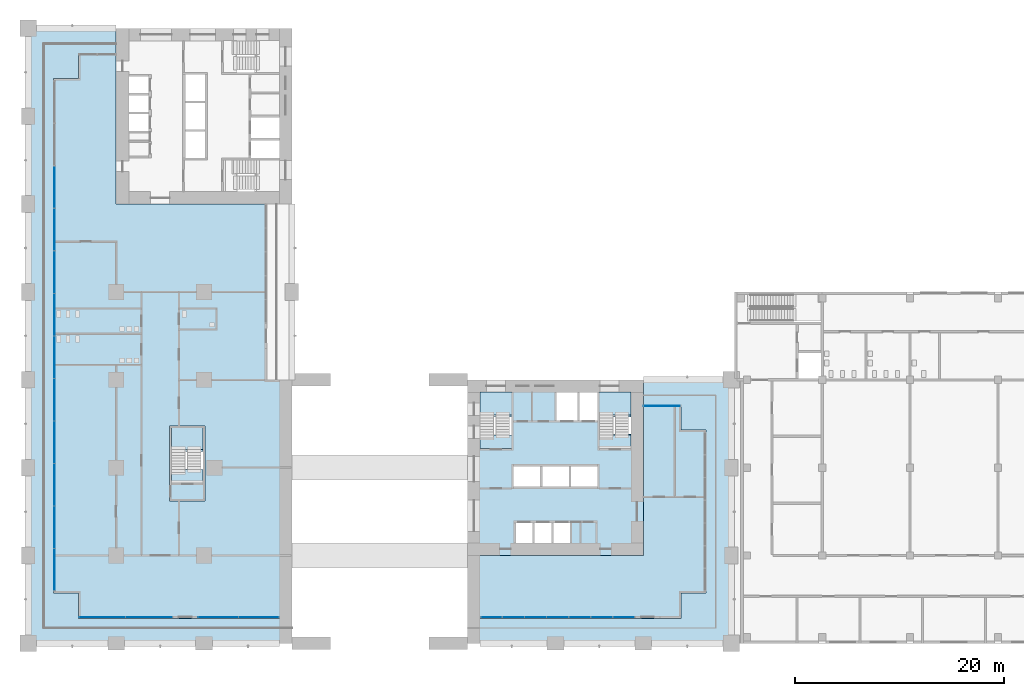
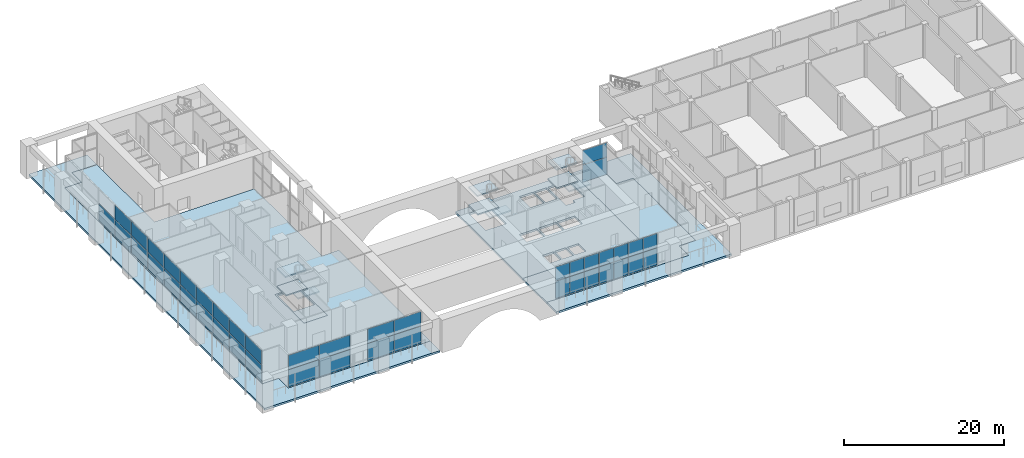
# One storey, part 8 of 26: 43 plates, 15 slabs, 8 elements without a shape of their own.
"""IFC4 building model written with IfcOpenShell, lengths in metres."""

from ifc_helpers import new_model, si_unit, direction, frame, origin, origin_2d, place, context, subcontext, project, spatial, polyline, rectangle, outline, extrude, material, layer, layer_set, type_object, element, aggregate, save


model = new_model("IFC4")

# Units and contexts
model_context = context("Model", 3, precision=1e-05, world=origin(), true_north=direction((0.0, 1.0)))
body_context = subcontext(model_context, "Body", "Model", "MODEL_VIEW")
ifc_project = project(units=[si_unit("LENGTHUNIT", "METRE"), si_unit("AREAUNIT", "SQUARE_METRE"), si_unit("VOLUMEUNIT", "CUBIC_METRE"), si_unit("PLANEANGLEUNIT", "RADIAN"), si_unit("MASSUNIT", "GRAM", prefix="KILO")], contexts=[model_context])

# Site, building, storey
site_placement = place(None, origin())
site = spatial("IfcSite", under=ifc_project, at=site_placement, CompositionType="ELEMENT")
building_placement = place(site_placement, origin())
building = spatial("IfcBuilding", under=site, at=building_placement, Name="Vermilion Gate Residences", CompositionType="ELEMENT")
storey_placement = place(building_placement, frame((0.0, 0.0, 9.0)))
storey = spatial("IfcBuildingStorey", under=building, at=storey_placement, Name="L01", CompositionType="ELEMENT", Elevation=9.0)

# Curtain wall, plates
ifc_material_1 = material(Name="Aluminium and glass", Category="aluminium")
curtain_wall_type_1 = type_object("IfcCurtainWallType", Name="LOBBY ENTRANCE GLAZING CURTAIN WALL", PredefinedType="NOTDEFINED", material=ifc_material_1)
curtain_wall_1_placement = place(storey_placement, origin())
curtain_wall_1 = element("IfcCurtainWall", 1, at=curtain_wall_1_placement, inside=storey, type_object=curtain_wall_type_1, Name="Lobby Entrance Glazing 90", PredefinedType="NOTDEFINED")
ifc_material_2 = material(Name="Low-iron laminated glass", Category="glass")
ifc_layer_1 = layer(ifc_material_2, 0.035888671875)
ifc_layer_set_1 = layer_set([ifc_layer_1], Name="LOBBY ENTRANCE GLAZING GLASS PANEL 36")
plate_type_1 = type_object("IfcPlateType", Name="LOBBY ENTRANCE GLAZING GLASS PANEL 36", PredefinedType="CURTAIN_PANEL", material=ifc_layer_set_1)
plate_1_placement = place(storey_placement, frame((44.277099609375, 2.5, 0.080078125), z_axis=(0.0, 0.0, 1.0), x_axis=(1.0, 0.0, 0.0)))
plate_1 = element("IfcPlate", 2, at=plate_1_placement, type_object=plate_type_1, Name="ECW5 panel 1.1", PredefinedType="CURTAIN_PANEL", context=body_context, shape_type="SweptSolid", body=[
    extrude(rectangle(XDim=1.994384765625, YDim=0.035888671875, at=origin_2d()), origin(), (0.0, 0.0, 1.0), 2.580078125),
])
plate_2_placement = place(storey_placement, frame((44.277099609375, 2.5, 2.739990234375), z_axis=(0.0, 0.0, 1.0), x_axis=(1.0, 0.0, 0.0)))
plate_2 = element("IfcPlate", 3, at=plate_2_placement, type_object=plate_type_1, Name="ECW5 panel 1.2", PredefinedType="CURTAIN_PANEL", context=body_context, shape_type="SweptSolid", body=[
    extrude(rectangle(XDim=1.994384765625, YDim=0.035888671875, at=origin_2d()), origin(), (0.0, 0.0, 1.0), 2.1298828125),
])
plate_3_placement = place(storey_placement, frame((46.371337890625, 2.5, 0.080078125), z_axis=(0.0, 0.0, 1.0), x_axis=(1.0, 0.0, 0.0)))
plate_3 = element("IfcPlate", 4, at=plate_3_placement, type_object=plate_type_1, Name="ECW5 panel 2.1", PredefinedType="CURTAIN_PANEL", context=body_context, shape_type="SweptSolid", body=[
    extrude(rectangle(XDim=2.0341796875, YDim=0.035888671875, at=origin_2d()), origin(), (0.0, 0.0, 1.0), 2.580078125),
])
plate_4_placement = place(storey_placement, frame((46.371337890625, 2.5, 2.739990234375), z_axis=(0.0, 0.0, 1.0), x_axis=(1.0, 0.0, 0.0)))
plate_4 = element("IfcPlate", 5, at=plate_4_placement, type_object=plate_type_1, Name="ECW5 panel 2.2", PredefinedType="CURTAIN_PANEL", context=body_context, shape_type="SweptSolid", body=[
    extrude(rectangle(XDim=2.0341796875, YDim=0.035888671875, at=origin_2d()), origin(), (0.0, 0.0, 1.0), 2.1298828125),
])
plate_5_placement = place(storey_placement, frame((48.485595703125, 2.5, 0.080078125), z_axis=(0.0, 0.0, 1.0), x_axis=(1.0, 0.0, 0.0)))
plate_5 = element("IfcPlate", 6, at=plate_5_placement, type_object=plate_type_1, Name="ECW5 panel 3.1", PredefinedType="CURTAIN_PANEL", context=body_context, shape_type="SweptSolid", body=[
    extrude(rectangle(XDim=2.0341796875, YDim=0.035888671875, at=origin_2d()), origin(), (0.0, 0.0, 1.0), 2.580078125),
])
plate_6_placement = place(storey_placement, frame((48.485595703125, 2.5, 2.739990234375), z_axis=(0.0, 0.0, 1.0), x_axis=(1.0, 0.0, 0.0)))
plate_6 = element("IfcPlate", 7, at=plate_6_placement, type_object=plate_type_1, Name="ECW5 panel 3.2", PredefinedType="CURTAIN_PANEL", context=body_context, shape_type="SweptSolid", body=[
    extrude(rectangle(XDim=2.0341796875, YDim=0.035888671875, at=origin_2d()), origin(), (0.0, 0.0, 1.0), 2.1298828125),
])
plate_7_placement = place(storey_placement, frame((50.60009765625, 2.5, 0.080078125), z_axis=(0.0, 0.0, 1.0), x_axis=(1.0, 0.0, 0.0)))
plate_7 = element("IfcPlate", 8, at=plate_7_placement, type_object=plate_type_1, Name="ECW5 panel 4.1", PredefinedType="CURTAIN_PANEL", context=body_context, shape_type="SweptSolid", body=[
    extrude(rectangle(XDim=2.0341796875, YDim=0.035888671875, at=origin_2d()), origin(), (0.0, 0.0, 1.0), 2.580078125),
])
plate_8_placement = place(storey_placement, frame((50.60009765625, 2.5, 2.739990234375), z_axis=(0.0, 0.0, 1.0), x_axis=(1.0, 0.0, 0.0)))
plate_8 = element("IfcPlate", 9, at=plate_8_placement, type_object=plate_type_1, Name="ECW5 panel 4.2", PredefinedType="CURTAIN_PANEL", context=body_context, shape_type="SweptSolid", body=[
    extrude(rectangle(XDim=2.0341796875, YDim=0.035888671875, at=origin_2d()), origin(), (0.0, 0.0, 1.0), 2.1298828125),
])
plate_9_placement = place(storey_placement, frame((52.71435546875, 2.5, 0.080078125), z_axis=(0.0, 0.0, 1.0), x_axis=(1.0, 0.0, 0.0)))
plate_9 = element("IfcPlate", 10, at=plate_9_placement, type_object=plate_type_1, Name="ECW5 panel 5.1", PredefinedType="CURTAIN_PANEL", context=body_context, shape_type="SweptSolid", body=[
    extrude(rectangle(XDim=2.0341796875, YDim=0.035888671875, at=origin_2d()), origin(), (0.0, 0.0, 1.0), 2.580078125),
])
plate_10_placement = place(storey_placement, frame((52.71435546875, 2.5, 2.739990234375), z_axis=(0.0, 0.0, 1.0), x_axis=(1.0, 0.0, 0.0)))
plate_10 = element("IfcPlate", 11, at=plate_10_placement, type_object=plate_type_1, Name="ECW5 panel 5.2", PredefinedType="CURTAIN_PANEL", context=body_context, shape_type="SweptSolid", body=[
    extrude(rectangle(XDim=2.0341796875, YDim=0.035888671875, at=origin_2d()), origin(), (0.0, 0.0, 1.0), 2.1298828125),
])
plate_11_placement = place(storey_placement, frame((54.82861328125, 2.5, 0.080078125), z_axis=(0.0, 0.0, 1.0), x_axis=(1.0, 0.0, 0.0)))
plate_11 = element("IfcPlate", 12, at=plate_11_placement, type_object=plate_type_1, Name="ECW5 panel 6.1", PredefinedType="CURTAIN_PANEL", context=body_context, shape_type="SweptSolid", body=[
    extrude(rectangle(XDim=2.0341796875, YDim=0.035888671875, at=origin_2d()), origin(), (0.0, 0.0, 1.0), 2.580078125),
])
plate_12_placement = place(storey_placement, frame((54.82861328125, 2.5, 2.739990234375), z_axis=(0.0, 0.0, 1.0), x_axis=(1.0, 0.0, 0.0)))
plate_12 = element("IfcPlate", 13, at=plate_12_placement, type_object=plate_type_1, Name="ECW5 panel 6.2", PredefinedType="CURTAIN_PANEL", context=body_context, shape_type="SweptSolid", body=[
    extrude(rectangle(XDim=2.0341796875, YDim=0.035888671875, at=origin_2d()), origin(), (0.0, 0.0, 1.0), 2.1298828125),
])
plate_13_placement = place(storey_placement, frame((56.9228515625, 2.5, 0.080078125), z_axis=(0.0, 0.0, 1.0), x_axis=(1.0, 0.0, 0.0)))
plate_13 = element("IfcPlate", 14, at=plate_13_placement, type_object=plate_type_1, Name="ECW5 panel 7.1", PredefinedType="CURTAIN_PANEL", context=body_context, shape_type="SweptSolid", body=[
    extrude(rectangle(XDim=1.994384765625, YDim=0.035888671875, at=origin_2d()), origin(), (0.0, 0.0, 1.0), 2.580078125),
])
plate_14_placement = place(storey_placement, frame((56.9228515625, 2.5, 2.739990234375), z_axis=(0.0, 0.0, 1.0), x_axis=(1.0, 0.0, 0.0)))
plate_14 = element("IfcPlate", 15, at=plate_14_placement, type_object=plate_type_1, Name="ECW5 panel 7.2", PredefinedType="CURTAIN_PANEL", context=body_context, shape_type="SweptSolid", body=[
    extrude(rectangle(XDim=1.994384765625, YDim=0.035888671875, at=origin_2d()), origin(), (0.0, 0.0, 1.0), 2.1298828125),
])
aggregate(curtain_wall_1, [plate_1, plate_2, plate_3, plate_4, plate_5, plate_6, plate_7, plate_8, plate_9, plate_10, plate_11, plate_12, plate_13, plate_14])

ifc_material_3 = material(Name="Aluminium and glass", Category="aluminium")
curtain_wall_type_2 = type_object("IfcCurtainWallType", Name="PODIUM SHOPFRONT CURTAIN WALL", PredefinedType="NOTDEFINED", material=ifc_material_3)
curtain_wall_2_placement = place(storey_placement, origin())
curtain_wall_2 = element("IfcCurtainWall", 16, at=curtain_wall_2_placement, inside=storey, type_object=curtain_wall_type_2, Name="Podium Shopfront 30", PredefinedType="NOTDEFINED")
ifc_material_4 = material(Name="Clear laminated glass", Category="glass")
ifc_layer_2 = layer(ifc_material_4, 0.031982421875)
ifc_layer_set_2 = layer_set([ifc_layer_2], Name="PODIUM SHOPFRONT GLASS PANEL 32")
plate_type_2 = type_object("IfcPlateType", Name="PODIUM SHOPFRONT GLASS PANEL 32", PredefinedType="CURTAIN_PANEL", material=ifc_layer_set_2)
plate_15_placement = place(storey_placement, frame((2.5, 43.63330078125, 0.06005859375), z_axis=(0.0, 0.0, 1.0), x_axis=(0.0, -1.0, 0.0)))
plate_15 = element("IfcPlate", 17, at=plate_15_placement, type_object=plate_type_2, Name="ECW1 panel 3.1", PredefinedType="CURTAIN_PANEL", context=body_context, shape_type="SweptSolid", body=[
    extrude(rectangle(XDim=4.006591796875, YDim=0.031982421875, at=origin_2d()), origin(), (0.0, 0.0, 1.0), 2.610107421875),
])
plate_16_placement = place(storey_placement, frame((2.5, 39.566650390625, 0.06005859375), z_axis=(0.0, 0.0, 1.0), x_axis=(0.0, -1.0, 0.0)))
plate_16 = element("IfcPlate", 18, at=plate_16_placement, type_object=plate_type_2, Name="ECW1 panel 4.1", PredefinedType="CURTAIN_PANEL", context=body_context, shape_type="SweptSolid", body=[
    extrude(rectangle(XDim=4.006591796875, YDim=0.031982421875, at=origin_2d()), origin(), (0.0, 0.0, 1.0), 2.610107421875),
])
plate_17_placement = place(storey_placement, frame((2.5, 39.566650390625, 2.72998046875), z_axis=(0.0, 0.0, 1.0), x_axis=(0.0, -1.0, 0.0)))
plate_17 = element("IfcPlate", 19, at=plate_17_placement, type_object=plate_type_2, Name="ECW1 panel 4.2", PredefinedType="CURTAIN_PANEL", context=body_context, shape_type="SweptSolid", body=[
    extrude(rectangle(XDim=4.006591796875, YDim=0.031982421875, at=origin_2d()), origin(), (0.0, 0.0, 1.0), 2.159912109375),
])
plate_18_placement = place(storey_placement, frame((2.5, 35.5, 0.06005859375), z_axis=(0.0, 0.0, 1.0), x_axis=(0.0, -1.0, 0.0)))
plate_18 = element("IfcPlate", 20, at=plate_18_placement, type_object=plate_type_2, Name="ECW1 panel 5.1", PredefinedType="CURTAIN_PANEL", context=body_context, shape_type="SweptSolid", body=[
    extrude(rectangle(XDim=4.006591796875, YDim=0.031982421875, at=origin_2d()), origin(), (0.0, 0.0, 1.0), 2.610107421875),
])
plate_19_placement = place(storey_placement, frame((2.5, 35.5, 2.72998046875), z_axis=(0.0, 0.0, 1.0), x_axis=(0.0, -1.0, 0.0)))
plate_19 = element("IfcPlate", 21, at=plate_19_placement, type_object=plate_type_2, Name="ECW1 panel 5.2", PredefinedType="CURTAIN_PANEL", context=body_context, shape_type="SweptSolid", body=[
    extrude(rectangle(XDim=4.006591796875, YDim=0.031982421875, at=origin_2d()), origin(), (0.0, 0.0, 1.0), 2.159912109375),
])
plate_20_placement = place(storey_placement, frame((2.5, 31.433349609375, 0.06005859375), z_axis=(0.0, 0.0, 1.0), x_axis=(0.0, -1.0, 0.0)))
plate_20 = element("IfcPlate", 22, at=plate_20_placement, type_object=plate_type_2, Name="ECW1 panel 6.1", PredefinedType="CURTAIN_PANEL", context=body_context, shape_type="SweptSolid", body=[
    extrude(rectangle(XDim=4.006591796875, YDim=0.031982421875, at=origin_2d()), origin(), (0.0, 0.0, 1.0), 2.610107421875),
])
plate_21_placement = place(storey_placement, frame((2.5, 31.433349609375, 2.72998046875), z_axis=(0.0, 0.0, 1.0), x_axis=(0.0, -1.0, 0.0)))
plate_21 = element("IfcPlate", 23, at=plate_21_placement, type_object=plate_type_2, Name="ECW1 panel 6.2", PredefinedType="CURTAIN_PANEL", context=body_context, shape_type="SweptSolid", body=[
    extrude(rectangle(XDim=4.006591796875, YDim=0.031982421875, at=origin_2d()), origin(), (0.0, 0.0, 1.0), 2.159912109375),
])
plate_22_placement = place(storey_placement, frame((2.5, 27.36669921875, 0.06005859375), z_axis=(0.0, 0.0, 1.0), x_axis=(0.0, -1.0, 0.0)))
plate_22 = element("IfcPlate", 24, at=plate_22_placement, type_object=plate_type_2, Name="ECW1 panel 7.1", PredefinedType="CURTAIN_PANEL", context=body_context, shape_type="SweptSolid", body=[
    extrude(rectangle(XDim=4.006591796875, YDim=0.031982421875, at=origin_2d()), origin(), (0.0, 0.0, 1.0), 2.610107421875),
])
plate_23_placement = place(storey_placement, frame((2.5, 27.36669921875, 2.72998046875), z_axis=(0.0, 0.0, 1.0), x_axis=(0.0, -1.0, 0.0)))
plate_23 = element("IfcPlate", 25, at=plate_23_placement, type_object=plate_type_2, Name="ECW1 panel 7.2", PredefinedType="CURTAIN_PANEL", context=body_context, shape_type="SweptSolid", body=[
    extrude(rectangle(XDim=4.006591796875, YDim=0.031982421875, at=origin_2d()), origin(), (0.0, 0.0, 1.0), 2.159912109375),
])
plate_24_placement = place(storey_placement, frame((2.5, 23.300048828125, 0.06005859375), z_axis=(0.0, 0.0, 1.0), x_axis=(0.0, -1.0, 0.0)))
plate_24 = element("IfcPlate", 26, at=plate_24_placement, type_object=plate_type_2, Name="ECW1 panel 8.1", PredefinedType="CURTAIN_PANEL", context=body_context, shape_type="SweptSolid", body=[
    extrude(rectangle(XDim=4.006591796875, YDim=0.031982421875, at=origin_2d()), origin(), (0.0, 0.0, 1.0), 2.610107421875),
])
plate_25_placement = place(storey_placement, frame((2.5, 23.300048828125, 2.72998046875), z_axis=(0.0, 0.0, 1.0), x_axis=(0.0, -1.0, 0.0)))
plate_25 = element("IfcPlate", 27, at=plate_25_placement, type_object=plate_type_2, Name="ECW1 panel 8.2", PredefinedType="CURTAIN_PANEL", context=body_context, shape_type="SweptSolid", body=[
    extrude(rectangle(XDim=4.006591796875, YDim=0.031982421875, at=origin_2d()), origin(), (0.0, 0.0, 1.0), 2.159912109375),
])
plate_26_placement = place(storey_placement, frame((2.5, 19.2333984375, 0.06005859375), z_axis=(0.0, 0.0, 1.0), x_axis=(0.0, -1.0, 0.0)))
plate_26 = element("IfcPlate", 28, at=plate_26_placement, type_object=plate_type_2, Name="ECW1 panel 9.1", PredefinedType="CURTAIN_PANEL", context=body_context, shape_type="SweptSolid", body=[
    extrude(rectangle(XDim=4.006591796875, YDim=0.031982421875, at=origin_2d()), origin(), (0.0, 0.0, 1.0), 2.610107421875),
])
plate_27_placement = place(storey_placement, frame((2.5, 19.2333984375, 2.72998046875), z_axis=(0.0, 0.0, 1.0), x_axis=(0.0, -1.0, 0.0)))
plate_27 = element("IfcPlate", 29, at=plate_27_placement, type_object=plate_type_2, Name="ECW1 panel 9.2", PredefinedType="CURTAIN_PANEL", context=body_context, shape_type="SweptSolid", body=[
    extrude(rectangle(XDim=4.006591796875, YDim=0.031982421875, at=origin_2d()), origin(), (0.0, 0.0, 1.0), 2.159912109375),
])
plate_28_placement = place(storey_placement, frame((2.5, 15.166748046875, 0.06005859375), z_axis=(0.0, 0.0, 1.0), x_axis=(0.0, -1.0, 0.0)))
plate_28 = element("IfcPlate", 30, at=plate_28_placement, type_object=plate_type_2, Name="ECW1 panel 10.1", PredefinedType="CURTAIN_PANEL", context=body_context, shape_type="SweptSolid", body=[
    extrude(rectangle(XDim=4.006591796875, YDim=0.031982421875, at=origin_2d()), origin(), (0.0, 0.0, 1.0), 2.610107421875),
])
plate_29_placement = place(storey_placement, frame((2.5, 15.166748046875, 2.72998046875), z_axis=(0.0, 0.0, 1.0), x_axis=(0.0, -1.0, 0.0)))
plate_29 = element("IfcPlate", 31, at=plate_29_placement, type_object=plate_type_2, Name="ECW1 panel 10.2", PredefinedType="CURTAIN_PANEL", context=body_context, shape_type="SweptSolid", body=[
    extrude(rectangle(XDim=4.006591796875, YDim=0.031982421875, at=origin_2d()), origin(), (0.0, 0.0, 1.0), 2.159912109375),
])
plate_30_placement = place(storey_placement, frame((2.5, 11.10009765625, 0.06005859375), z_axis=(0.0, 0.0, 1.0), x_axis=(0.0, -1.0, 0.0)))
plate_30 = element("IfcPlate", 32, at=plate_30_placement, type_object=plate_type_2, Name="ECW1 panel 11.1", PredefinedType="CURTAIN_PANEL", context=body_context, shape_type="SweptSolid", body=[
    extrude(rectangle(XDim=4.006591796875, YDim=0.031982421875, at=origin_2d()), origin(), (0.0, 0.0, 1.0), 2.610107421875),
])
plate_31_placement = place(storey_placement, frame((2.5, 11.10009765625, 2.72998046875), z_axis=(0.0, 0.0, 1.0), x_axis=(0.0, -1.0, 0.0)))
plate_31 = element("IfcPlate", 33, at=plate_31_placement, type_object=plate_type_2, Name="ECW1 panel 11.2", PredefinedType="CURTAIN_PANEL", context=body_context, shape_type="SweptSolid", body=[
    extrude(rectangle(XDim=4.006591796875, YDim=0.031982421875, at=origin_2d()), origin(), (0.0, 0.0, 1.0), 2.159912109375),
])
plate_32_placement = place(storey_placement, frame((2.5, 7.04833984375, 0.06005859375), z_axis=(0.0, 0.0, 1.0), x_axis=(0.0, -1.0, 0.0)))
plate_32 = element("IfcPlate", 34, at=plate_32_placement, type_object=plate_type_2, Name="ECW1 panel 12.1", PredefinedType="CURTAIN_PANEL", context=body_context, shape_type="SweptSolid", body=[
    extrude(rectangle(XDim=3.9765625, YDim=0.031982421875, at=origin_2d()), origin(), (0.0, 0.0, 1.0), 2.610107421875),
])
plate_33_placement = place(storey_placement, frame((2.5, 7.04833984375, 2.72998046875), z_axis=(0.0, 0.0, 1.0), x_axis=(0.0, -1.0, 0.0)))
plate_33 = element("IfcPlate", 35, at=plate_33_placement, type_object=plate_type_2, Name="ECW1 panel 12.2", PredefinedType="CURTAIN_PANEL", context=body_context, shape_type="SweptSolid", body=[
    extrude(rectangle(XDim=3.9765625, YDim=0.031982421875, at=origin_2d()), origin(), (0.0, 0.0, 1.0), 2.159912109375),
])
aggregate(curtain_wall_2, [plate_15, plate_16, plate_17, plate_18, plate_19, plate_20, plate_21, plate_22, plate_23, plate_24, plate_25, plate_26, plate_27, plate_28, plate_29, plate_30, plate_31, plate_32, plate_33])

curtain_wall_3_placement = place(storey_placement, origin())
curtain_wall_3 = element("IfcCurtainWall", 36, at=curtain_wall_3_placement, inside=storey, type_object=curtain_wall_type_2, Name="Podium Shopfront 60", PredefinedType="NOTDEFINED")
plate_34_placement = place(storey_placement, frame((7.06494140625, 2.5, 0.06005859375), z_axis=(0.0, 0.0, 1.0), x_axis=(1.0, 0.0, 0.0)))
plate_34 = element("IfcPlate", 37, at=plate_34_placement, type_object=plate_type_2, Name="ECW1 panel 1.1", PredefinedType="CURTAIN_PANEL", context=body_context, shape_type="SweptSolid", body=[
    extrude(rectangle(XDim=4.409912109375, YDim=0.031982421875, at=origin_2d()), origin(), (0.0, 0.0, 1.0), 2.610107421875),
])
plate_35_placement = place(storey_placement, frame((7.06494140625, 2.5, 2.72998046875), z_axis=(0.0, 0.0, 1.0), x_axis=(1.0, 0.0, 0.0)))
plate_35 = element("IfcPlate", 38, at=plate_35_placement, type_object=plate_type_2, Name="ECW1 panel 1.2", PredefinedType="CURTAIN_PANEL", context=body_context, shape_type="SweptSolid", body=[
    extrude(rectangle(XDim=4.409912109375, YDim=0.031982421875, at=origin_2d()), origin(), (0.0, 0.0, 1.0), 2.159912109375),
])
plate_36_placement = place(storey_placement, frame((11.534912109375, 2.5, 0.06005859375), z_axis=(0.0, 0.0, 1.0), x_axis=(1.0, 0.0, 0.0)))
plate_36 = element("IfcPlate", 39, at=plate_36_placement, type_object=plate_type_2, Name="ECW1 panel 2.1", PredefinedType="CURTAIN_PANEL", context=body_context, shape_type="SweptSolid", body=[
    extrude(rectangle(XDim=4.409912109375, YDim=0.031982421875, at=origin_2d()), origin(), (0.0, 0.0, 1.0), 2.610107421875),
])
plate_37_placement = place(storey_placement, frame((11.534912109375, 2.5, 2.72998046875), z_axis=(0.0, 0.0, 1.0), x_axis=(1.0, 0.0, 0.0)))
plate_37 = element("IfcPlate", 40, at=plate_37_placement, type_object=plate_type_2, Name="ECW1 panel 2.2", PredefinedType="CURTAIN_PANEL", context=body_context, shape_type="SweptSolid", body=[
    extrude(rectangle(XDim=4.409912109375, YDim=0.031982421875, at=origin_2d()), origin(), (0.0, 0.0, 1.0), 2.159912109375),
])
aggregate(curtain_wall_3, [plate_34, plate_35, plate_36, plate_37])

curtain_wall_4_placement = place(storey_placement, origin())
curtain_wall_4 = element("IfcCurtainWall", 41, at=curtain_wall_4_placement, inside=storey, type_object=curtain_wall_type_2, Name="Podium Shopfront 62", PredefinedType="NOTDEFINED")
plate_38_placement = place(storey_placement, frame((18.1650390625, 2.5, 0.06005859375), z_axis=(0.0, 0.0, 1.0), x_axis=(1.0, 0.0, 0.0)))
plate_38 = element("IfcPlate", 42, at=plate_38_placement, type_object=plate_type_2, Name="ECW1 panel 1.1", PredefinedType="CURTAIN_PANEL", context=body_context, shape_type="SweptSolid", body=[
    extrude(rectangle(XDim=3.81005859375, YDim=0.031982421875, at=origin_2d()), origin(), (0.0, 0.0, 1.0), 2.610107421875),
])
plate_39_placement = place(storey_placement, frame((18.1650390625, 2.5, 2.72998046875), z_axis=(0.0, 0.0, 1.0), x_axis=(1.0, 0.0, 0.0)))
plate_39 = element("IfcPlate", 43, at=plate_39_placement, type_object=plate_type_2, Name="ECW1 panel 1.2", PredefinedType="CURTAIN_PANEL", context=body_context, shape_type="SweptSolid", body=[
    extrude(rectangle(XDim=3.81005859375, YDim=0.031982421875, at=origin_2d()), origin(), (0.0, 0.0, 1.0), 2.159912109375),
])
plate_40_placement = place(storey_placement, frame((22.034912109375, 2.5, 0.06005859375), z_axis=(0.0, 0.0, 1.0), x_axis=(1.0, 0.0, 0.0)))
plate_40 = element("IfcPlate", 44, at=plate_40_placement, type_object=plate_type_2, Name="ECW1 panel 2.1", PredefinedType="CURTAIN_PANEL", context=body_context, shape_type="SweptSolid", body=[
    extrude(rectangle(XDim=3.81005859375, YDim=0.031982421875, at=origin_2d()), origin(), (0.0, 0.0, 1.0), 2.610107421875),
])
plate_41_placement = place(storey_placement, frame((22.034912109375, 2.5, 2.72998046875), z_axis=(0.0, 0.0, 1.0), x_axis=(1.0, 0.0, 0.0)))
plate_41 = element("IfcPlate", 45, at=plate_41_placement, type_object=plate_type_2, Name="ECW1 panel 2.2", PredefinedType="CURTAIN_PANEL", context=body_context, shape_type="SweptSolid", body=[
    extrude(rectangle(XDim=3.81005859375, YDim=0.031982421875, at=origin_2d()), origin(), (0.0, 0.0, 1.0), 2.159912109375),
])
aggregate(curtain_wall_4, [plate_38, plate_39, plate_40, plate_41])

curtain_wall_5_placement = place(storey_placement, origin())
curtain_wall_5 = element("IfcCurtainWall", 46, at=curtain_wall_5_placement, inside=storey, type_object=curtain_wall_type_2, Name="Podium Shopfront 150", PredefinedType="NOTDEFINED")
plate_42_placement = place(storey_placement, frame((60.60009765625, 22.699951171875, 0.06005859375), z_axis=(0.0, 0.0, 1.0), x_axis=(-1.0, 0.0, 0.0)))
plate_42 = element("IfcPlate", 47, at=plate_42_placement, type_object=plate_type_2, Name="ECW1 panel 1.1", PredefinedType="CURTAIN_PANEL", context=body_context, shape_type="SweptSolid", body=[
    extrude(rectangle(XDim=3.47998046875, YDim=0.031982421875, at=origin_2d()), origin(), (0.0, 0.0, 1.0), 2.610107421875),
])
plate_43_placement = place(storey_placement, frame((60.60009765625, 22.699951171875, 2.72998046875), z_axis=(0.0, 0.0, 1.0), x_axis=(-1.0, 0.0, 0.0)))
plate_43 = element("IfcPlate", 48, at=plate_43_placement, type_object=plate_type_2, Name="ECW1 panel 1.2", PredefinedType="CURTAIN_PANEL", context=body_context, shape_type="SweptSolid", body=[
    extrude(rectangle(XDim=3.47998046875, YDim=0.031982421875, at=origin_2d()), origin(), (0.0, 0.0, 1.0), 2.159912109375),
])
aggregate(curtain_wall_5, [plate_42, plate_43])

# Slabs
ifc_material_5 = material(Name="Concrete C50", Category="concrete")
ifc_layer_3 = layer(ifc_material_5, 0.300048828125)
ifc_layer_set_3 = layer_set([ifc_layer_3], Name="RC CORE FLOOR SLAB 300 C50")
slab_type_1 = type_object("IfcSlabType", Name="RC CORE FLOOR SLAB 300 C50", PredefinedType="FLOOR", material=ifc_layer_set_3)
slab_1_placement = place(storey_placement, frame((0.0, 0.0, -0.300048828125)))
element("IfcSlab", 49, at=slab_1_placement, inside=storey, type_object=slab_type_1, Name="Core floor slab A01", PredefinedType="FLOOR", context=body_context, shape_type="SweptSolid", body=[
    extrude(outline(polyline([(42.0, 8.39990234375), (58.800048828125, 8.39990234375), (58.800048828125, 25.199951171875), (42.0, 25.199951171875), (42.0, 8.39990234375)]), holes=[polyline([(46.60009765625, 11.5), (48.199951171875, 11.5), (48.199951171875, 9.60009765625), (46.60009765625, 9.60009765625), (46.60009765625, 11.5)]), polyline([(48.39990234375, 11.5), (50.0, 11.5), (50.0, 9.60009765625), (48.39990234375, 9.60009765625), (48.39990234375, 11.5)]), polyline([(50.199951171875, 11.5), (51.800048828125, 11.5), (51.800048828125, 9.60009765625), (50.199951171875, 9.60009765625), (50.199951171875, 11.5)]), polyline([(48.933349609375, 16.89990234375), (48.933349609375, 15.0), (46.39990234375, 15.0), (46.39990234375, 16.89990234375), (48.933349609375, 16.89990234375)]), polyline([(51.666748046875, 16.89990234375), (51.666748046875, 15.0), (49.13330078125, 15.0), (49.13330078125, 16.89990234375), (51.666748046875, 16.89990234375)]), polyline([(43.199951171875, 24.0), (46.199951171875, 24.0), (46.199951171875, 19.75), (43.199951171875, 19.75), (43.199951171875, 24.0)]), polyline([(54.39990234375, 16.89990234375), (54.39990234375, 15.0), (51.86669921875, 15.0), (51.86669921875, 16.89990234375), (54.39990234375, 16.89990234375)]), polyline([(55.89990234375, 19.467529296875), (54.60009765625, 19.467529296875), (54.60009765625, 20.0), (54.60009765625, 24.0), (57.60009765625, 24.0), (57.60009765625, 20.0), (55.89990234375, 20.0), (55.89990234375, 19.467529296875)]), polyline([(52.5, 24.0), (52.5, 21.300048828125), (50.5, 21.300048828125), (50.5, 24.0), (52.5, 24.0)]), polyline([(54.39990234375, 24.0), (54.39990234375, 21.300048828125), (52.699951171875, 21.300048828125), (52.699951171875, 24.0), (54.39990234375, 24.0)])]), origin(), (0.0, 0.0, 1.0), 0.300048828125),
])
slab_2_placement = place(storey_placement, frame((0.0, 0.0, -0.300048828125)))
element("IfcSlab", 50, at=slab_2_placement, inside=storey, type_object=slab_type_1, Name="Apex stair floor slab 01", PredefinedType="FLOOR", context=body_context, shape_type="SweptSolid", body=[
    extrude(outline(polyline([(13.5, 13.60009765625), (16.89990234375, 13.60009765625), (16.89990234375, 20.800048828125), (13.5, 20.800048828125), (13.5, 13.60009765625)]), holes=[polyline([(16.699951171875, 20.60009765625), (16.699951171875, 16.449951171875), (13.699951171875, 16.449951171875), (13.699951171875, 20.60009765625), (16.699951171875, 20.60009765625)])]), origin(), (0.0, 0.0, 1.0), 0.300048828125),
])
ifc_material_6 = material(Name="Concrete C50", Category="concrete")
ifc_layer_4 = layer(ifc_material_6, 0.300048828125)
ifc_layer_set_4 = layer_set([ifc_layer_4], Name="RC FLAT PLATE 300 C50")
slab_type_2 = type_object("IfcSlabType", Name="RC FLAT PLATE 300 C50", PredefinedType="FLOOR", material=ifc_layer_set_4)
slab_3_placement = place(storey_placement, frame((0.0, 0.0, -0.300048828125)))
element("IfcSlab", 51, at=slab_3_placement, inside=storey, type_object=slab_type_2, Name="Floor slab L01", PredefinedType="FLOOR", context=body_context, shape_type="SweptSolid", body=[
    extrude(outline(polyline([(22.800048828125, 25.199951171875), (22.800048828125, 42.0), (8.39990234375, 42.0), (8.39990234375, 56.39990234375), (4.800048828125, 56.39990234375), (4.800048828125, 54.0), (2.39990234375, 54.0), (2.39990234375, 4.800048828125), (4.800048828125, 4.800048828125), (4.800048828125, 2.39990234375), (25.199951171875, 2.39990234375), (25.199951171875, 25.199951171875), (22.800048828125, 25.199951171875)]), holes=[polyline([(13.5, 13.60009765625), (13.5, 20.800048828125), (16.89990234375, 20.800048828125), (16.89990234375, 13.60009765625), (13.5, 13.60009765625)])]), origin(), (0.0, 0.0, 1.0), 0.300048828125),
])
slab_4_placement = place(storey_placement, frame((0.0, 0.0, -0.300048828125)))
element("IfcSlab", 52, at=slab_4_placement, inside=storey, type_object=slab_type_2, Name="Floor slab L01", PredefinedType="FLOOR", context=body_context, shape_type="SweptSolid", body=[
    extrude(outline(polyline([(58.800048828125, 22.800048828125), (58.800048828125, 8.39990234375), (42.0, 8.39990234375), (42.0, 2.39990234375), (62.39990234375, 2.39990234375), (62.39990234375, 4.800048828125), (64.800048828125, 4.800048828125), (64.800048828125, 20.39990234375), (62.39990234375, 20.39990234375), (62.39990234375, 22.800048828125), (58.800048828125, 22.800048828125)])), origin(), (0.0, 0.0, 1.0), 0.300048828125),
])
ifc_material_7 = material(Name="Concrete C50 red-oxide pigmented", Category="concrete")
ifc_layer_5 = layer(ifc_material_7, 0.300048828125)
ifc_layer_set_5 = layer_set([ifc_layer_5], Name="RC LOGGIA SLAB 300 C50")
slab_type_3 = type_object("IfcSlabType", Name="RC LOGGIA SLAB 300 C50", PredefinedType="FLOOR", material=ifc_layer_set_5)
slab_5_placement = place(storey_placement, frame((0.0, 0.0, -0.300048828125)))
element("IfcSlab", 53, at=slab_5_placement, inside=storey, type_object=slab_type_3, Name="Loggia slab L01", PredefinedType="FLOOR", context=body_context, shape_type="SweptSolid", body=[
    extrude(outline(polyline([(0.0, 0.0), (25.199951171875, 0.0), (25.199951171875, 2.39990234375), (4.800048828125, 2.39990234375), (4.800048828125, 4.800048828125), (2.39990234375, 4.800048828125), (2.39990234375, 54.0), (4.800048828125, 54.0), (4.800048828125, 56.39990234375), (8.39990234375, 56.39990234375), (8.39990234375, 58.800048828125), (0.0, 58.800048828125), (0.0, 0.0)])), origin(), (0.0, 0.0, 1.0), 0.300048828125),
])
slab_6_placement = place(storey_placement, frame((0.0, 0.0, -0.300048828125)))
element("IfcSlab", 54, at=slab_6_placement, inside=storey, type_object=slab_type_3, Name="Loggia slab L01", PredefinedType="FLOOR", context=body_context, shape_type="SweptSolid", body=[
    extrude(outline(polyline([(64.800048828125, 4.800048828125), (62.39990234375, 4.800048828125), (62.39990234375, 2.39990234375), (42.0, 2.39990234375), (42.0, 0.0), (67.199951171875, 0.0), (67.199951171875, 25.199951171875), (58.800048828125, 25.199951171875), (58.800048828125, 22.800048828125), (62.39990234375, 22.800048828125), (62.39990234375, 20.39990234375), (64.800048828125, 20.39990234375), (64.800048828125, 4.800048828125)])), origin(), (0.0, 0.0, 1.0), 0.300048828125),
])

# Stair, slabs
ifc_material_8 = material(Name="Concrete C50", Category="concrete")
stair_type = type_object("IfcStairType", Name="SPECIAL ESCAPE STAIR 1300", PredefinedType="HALF_TURN_STAIR", material=ifc_material_8)
stair_1_placement = place(storey_placement, origin())
stair_1 = element("IfcStair", 55, at=stair_1_placement, inside=storey, type_object=stair_type, Name="Special escape stair STA1-01", PredefinedType="HALF_TURN_STAIR")
ifc_material_9 = material(Name="Concrete C50", Category="concrete")
ifc_layer_6 = layer(ifc_material_9, 0.199951171875)
ifc_layer_set_6 = layer_set([ifc_layer_6], Name="STAIR LANDING 200 C50")
slab_type_4 = type_object("IfcSlabType", Name="STAIR LANDING 200 C50", PredefinedType="LANDING", material=ifc_layer_set_6)
slab_7_placement = place(storey_placement, frame((0.0, 0.0, 1.14990234375)))
slab_7 = element("IfcSlab", 56, at=slab_7_placement, type_object=slab_type_4, Name="STA1-01 landing 1", PredefinedType="LANDING", context=body_context, shape_type="SweptSolid", body=[
    extrude(outline(polyline([(46.219970703125, 21.639892578125), (46.219970703125, 24.02001953125), (43.179931640625, 24.02001953125), (43.179931640625, 21.639892578125), (46.219970703125, 21.639892578125)])), origin(), (0.0, 0.0, 1.0), 0.2001953125),
])
slab_8_placement = place(storey_placement, frame((0.0, 0.0, 2.5)))
slab_8 = element("IfcSlab", 57, at=slab_8_placement, type_object=slab_type_4, Name="STA1-01 landing 2", PredefinedType="LANDING", context=body_context, shape_type="SweptSolid", body=[
    extrude(outline(polyline([(46.219970703125, 18.6298828125), (46.219970703125, 19.929931640625), (43.179931640625, 19.929931640625), (43.179931640625, 18.6298828125), (46.219970703125, 18.6298828125)])), origin(), (0.0, 0.0, 1.0), 0.199951171875),
])
slab_9_placement = place(storey_placement, frame((0.0, 0.0, 3.85009765625)))
slab_9 = element("IfcSlab", 58, at=slab_9_placement, type_object=slab_type_4, Name="STA1-01 landing 3", PredefinedType="LANDING", context=body_context, shape_type="SweptSolid", body=[
    extrude(outline(polyline([(46.219970703125, 21.820068359375), (46.219970703125, 24.02001953125), (43.179931640625, 24.02001953125), (43.179931640625, 21.820068359375), (46.219970703125, 21.820068359375)])), origin(), (0.0, 0.0, 1.0), 0.199951171875),
])
aggregate(stair_1, [slab_7, slab_8, slab_9])

stair_2_placement = place(storey_placement, origin())
stair_2 = element("IfcStair", 59, at=stair_2_placement, inside=storey, type_object=stair_type, Name="Special escape stair STA2-01", PredefinedType="HALF_TURN_STAIR")
slab_10_placement = place(storey_placement, frame((0.0, 0.0, 1.14990234375)))
slab_10 = element("IfcSlab", 60, at=slab_10_placement, type_object=slab_type_4, Name="STA2-01 landing 1", PredefinedType="LANDING", context=body_context, shape_type="SweptSolid", body=[
    extrude(outline(polyline([(57.6201171875, 21.639892578125), (57.6201171875, 24.02001953125), (54.580078125, 24.02001953125), (54.580078125, 21.639892578125), (57.6201171875, 21.639892578125)])), origin(), (0.0, 0.0, 1.0), 0.2001953125),
])
slab_11_placement = place(storey_placement, frame((0.0, 0.0, 2.5)))
slab_11 = element("IfcSlab", 61, at=slab_11_placement, type_object=slab_type_4, Name="STA2-01 landing 2", PredefinedType="LANDING", context=body_context, shape_type="SweptSolid", body=[
    extrude(outline(polyline([(57.6201171875, 18.6298828125), (57.6201171875, 19.929931640625), (54.580078125, 19.929931640625), (54.580078125, 18.6298828125), (57.6201171875, 18.6298828125)])), origin(), (0.0, 0.0, 1.0), 0.199951171875),
])
slab_12_placement = place(storey_placement, frame((0.0, 0.0, 3.85009765625)))
slab_12 = element("IfcSlab", 62, at=slab_12_placement, type_object=slab_type_4, Name="STA2-01 landing 3", PredefinedType="LANDING", context=body_context, shape_type="SweptSolid", body=[
    extrude(outline(polyline([(57.6201171875, 21.820068359375), (57.6201171875, 24.02001953125), (54.580078125, 24.02001953125), (54.580078125, 21.820068359375), (57.6201171875, 21.820068359375)])), origin(), (0.0, 0.0, 1.0), 0.199951171875),
])
aggregate(stair_2, [slab_10, slab_11, slab_12])

stair_3_placement = place(storey_placement, origin())
stair_3 = element("IfcStair", 63, at=stair_3_placement, inside=storey, type_object=stair_type, Name="Special escape stair STC1-01", PredefinedType="HALF_TURN_STAIR")
slab_13_placement = place(storey_placement, frame((0.0, 0.0, 1.14990234375)))
slab_13 = element("IfcSlab", 64, at=slab_13_placement, type_object=slab_type_4, Name="STC1-01 landing 1", PredefinedType="LANDING", context=body_context, shape_type="SweptSolid", body=[
    extrude(outline(polyline([(16.719970703125, 18.340087890625), (16.719970703125, 20.6201171875), (13.679931640625, 20.6201171875), (13.679931640625, 18.340087890625), (16.719970703125, 18.340087890625)])), origin(), (0.0, 0.0, 1.0), 0.2001953125),
])
slab_14_placement = place(storey_placement, frame((0.0, 0.0, 2.5)))
slab_14 = element("IfcSlab", 65, at=slab_14_placement, type_object=slab_type_4, Name="STC1-01 landing 2", PredefinedType="LANDING", context=body_context, shape_type="SweptSolid", body=[
    extrude(outline(polyline([(16.719970703125, 15.330078125), (16.719970703125, 16.6298828125), (13.679931640625, 16.6298828125), (13.679931640625, 15.330078125), (16.719970703125, 15.330078125)])), origin(), (0.0, 0.0, 1.0), 0.199951171875),
])
slab_15_placement = place(storey_placement, frame((0.0, 0.0, 3.85009765625)))
slab_15 = element("IfcSlab", 66, at=slab_15_placement, type_object=slab_type_4, Name="STC1-01 landing 3", PredefinedType="LANDING", context=body_context, shape_type="SweptSolid", body=[
    extrude(outline(polyline([(16.719970703125, 18.52001953125), (16.719970703125, 20.6201171875), (13.679931640625, 20.6201171875), (13.679931640625, 18.52001953125), (16.719970703125, 18.52001953125)])), origin(), (0.0, 0.0, 1.0), 0.199951171875),
])
aggregate(stair_3, [slab_13, slab_14, slab_15])

save(model, "model.ifc")
